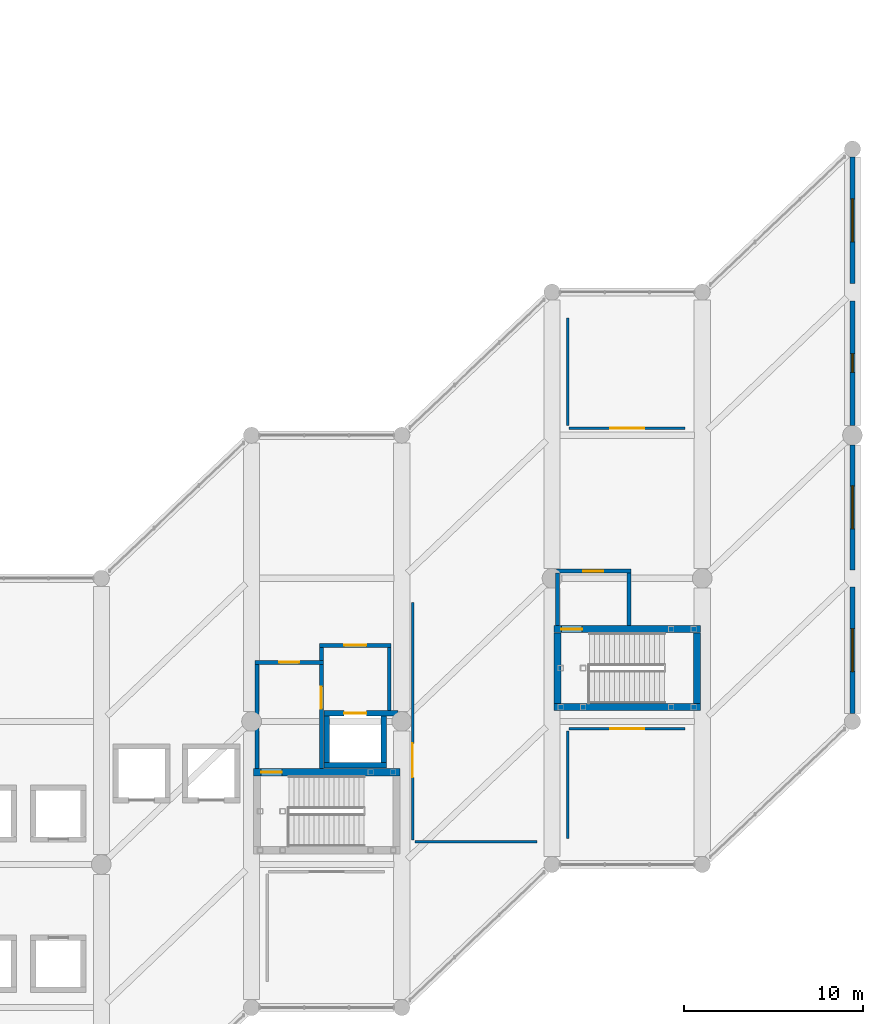
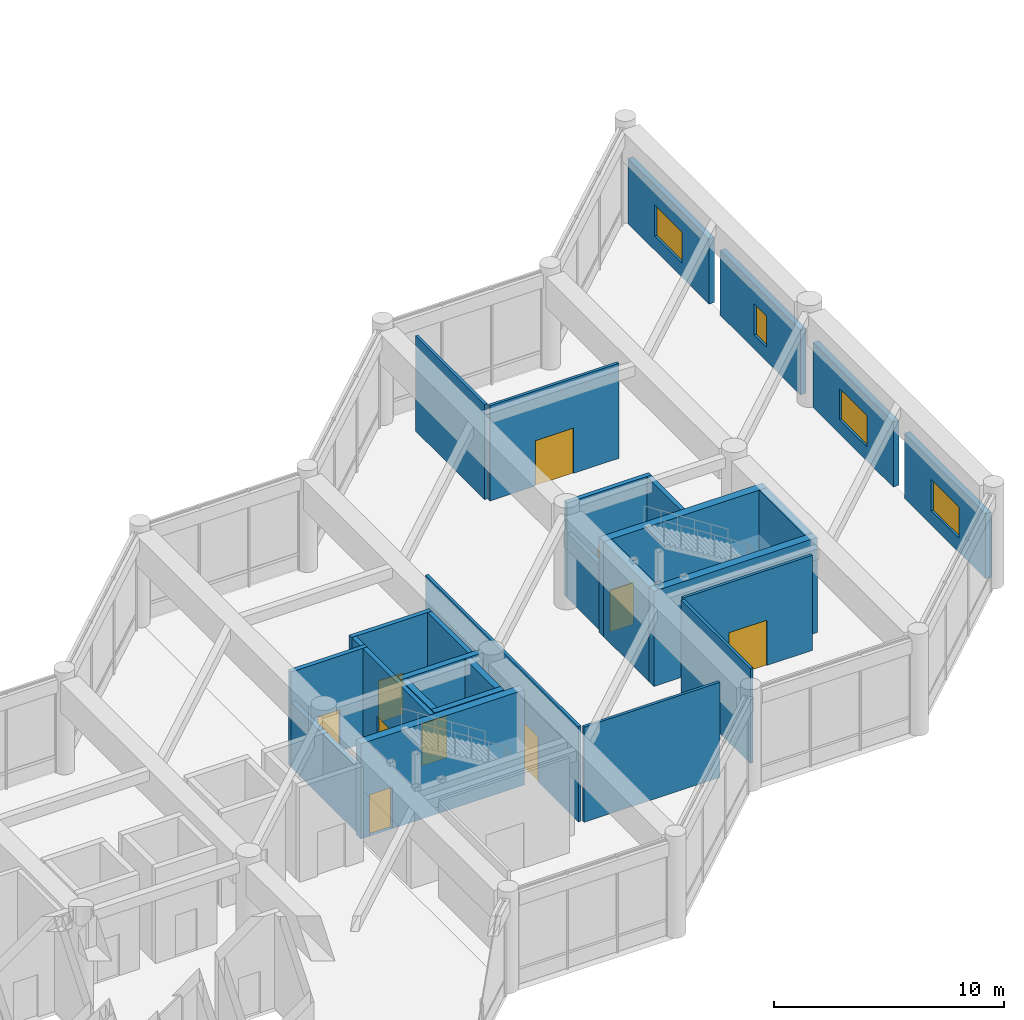
# One storey, part 64 of 79: 28 walls, 10 doors, 4 windows, 14 openings.
"""IFC4 building model written with IfcOpenShell, lengths in metres."""

from ifc_helpers import new_model, si_unit, direction, frame, frame_2d, origin, place, context, subcontext, project, spatial, rectangle, extrude, material, layer, layer_set, type_object, element, fill, save


model = new_model("IFC4")

# Units and contexts
model_context = context("Model", 3, precision=1e-05, world=origin(), true_north=direction((0.0, 1.0)))
body_context = subcontext(model_context, "Body", "Model", "MODEL_VIEW")
ifc_project = project(units=[si_unit("LENGTHUNIT", "METRE"), si_unit("AREAUNIT", "SQUARE_METRE"), si_unit("VOLUMEUNIT", "CUBIC_METRE"), si_unit("PLANEANGLEUNIT", "RADIAN"), si_unit("MASSUNIT", "GRAM", prefix="KILO")], contexts=[model_context])

# Site, building, storey
site_placement = place(None, origin())
site = spatial("IfcSite", under=ifc_project, at=site_placement, CompositionType="ELEMENT")
building_placement = place(site_placement, origin())
building = spatial("IfcBuilding", under=site, at=building_placement, Name="Naruveol Harbour Congress Hotel", CompositionType="ELEMENT")
storey_placement = place(building_placement, frame((0.0, 0.0, 6.0)))
storey = spatial("IfcBuildingStorey", under=building, at=storey_placement, Name="L01", CompositionType="ELEMENT", Elevation=6.0)

# Wall, opening, door
ifc_material_1 = material(Name="Acoustic Double Stud Gypsum", Category="gypsum")
ifc_layer_1 = layer(ifc_material_1, 0.139892578125)
ifc_layer_set_1 = layer_set([ifc_layer_1], Name="Acoustic Double Stud Gypsum")
wall_type_1 = type_object("IfcWallType", Name="ACOUSTIC MEETING PARTITION WALL 140", PredefinedType="PARTITIONING", material=ifc_layer_set_1)
wall_1_placement = place(storey_placement, frame((160.199951171875, 17.360107421875, 0.0), z_axis=(0.0, 0.0, 1.0), x_axis=(0.0, 1.0, 0.0)))
wall_1 = element("IfcWall", 1, at=wall_1_placement, inside=storey, type_object=wall_type_1, Name="Private Banquet Salon west entry wall PW-140", PredefinedType="PARTITIONING", context=body_context, shape_type="SweptSolid", body=[
    extrude(rectangle(XDim=13.27978515625, YDim=0.139892578125, at=frame_2d((6.639892578125, 0.0))), origin(), (0.0, 0.0, 1.0), 5.044921875),
])
opening_1_placement = place(wall_1_placement, frame((3.510009765625, 0.0, 0.0)))
opening_1 = element("IfcOpeningElement", 2, at=opening_1_placement, cuts=wall_1, Name="Opening ID-LG-55", PredefinedType="OPENING", context=body_context, shape_type="SweptSolid", body=[
    extrude(rectangle(XDim=1.89990234375, YDim=2.39990234375, at=frame_2d((0.949951171875, 1.199951171875))), frame((0.0, 0.079833984375, 0.0), z_axis=(0.0, -1.0, 0.0), x_axis=(1.0, 0.0, 0.0)), (0.0, 0.0, 1.0), 0.159912109375),
])
ifc_material_2 = material(Name="Timber & Steel Acoustic Leaf", Category="steel")
door_type_1 = type_object("IfcDoorType", Name="RESTAURANT AND LOUNGE GLAZED DOOR 1900X2400", OperationType="DOUBLE_DOOR_SINGLE_SWING", PredefinedType="DOOR", material=ifc_material_2)
door_1_placement = place(opening_1_placement, origin())
door_1 = element("IfcDoor", 3, at=door_1_placement, inside=storey, type_object=door_type_1, Name="Private Banquet Salon Entrance Door", OperationType="DOUBLE_DOOR_SINGLE_SWING", OverallHeight=2.39990234375, OverallWidth=1.89990234375, PredefinedType="DOOR", context=body_context, shape_type="SweptSolid", body=[
    extrude(rectangle(XDim=1.89990234375, YDim=2.39990234375, at=frame_2d((0.949951171875, 1.199951171875))), frame((0.0, 0.02490234375, 0.0), z_axis=(0.0, -1.0, 0.0), x_axis=(1.0, 0.0, 0.0)), (0.0, 0.0, 1.0), 0.050048828125),
])
fill(opening_1, door_1)

# Wall
wall_2_placement = place(storey_placement, frame((160.340087890625, 17.280029296875, 0.0), z_axis=(0.0, 0.0, 1.0), x_axis=(1.0, 0.0, 0.0)))
element("IfcWall", 4, at=wall_2_placement, inside=storey, type_object=wall_type_1, Name="Private Banquet Salon south partition PW-140", PredefinedType="PARTITIONING", context=body_context, shape_type="SweptSolid", body=[
    extrude(rectangle(XDim=6.809814453125, YDim=0.139892578125, at=frame_2d((3.40478515625, 0.0))), origin(), (0.0, 0.0, 1.0), 5.044921875),
])

# Wall, opening, door
wall_3_placement = place(storey_placement, frame((168.9599609375, 23.60009765625, 0.0), z_axis=(0.0, 0.0, 1.0), x_axis=(1.0, 0.0, 0.0)))
wall_3 = element("IfcWall", 5, at=wall_3_placement, inside=storey, type_object=wall_type_1, Name="Specialty Seafood Grill Restaurant north entry wall PW-140", PredefinedType="PARTITIONING", context=body_context, shape_type="SweptSolid", body=[
    extrude(rectangle(XDim=6.47998046875, YDim=0.139892578125, at=frame_2d((3.239990234375, 0.0))), origin(), (0.0, 0.0, 1.0), 5.044921875),
])
opening_2_placement = place(wall_3_placement, frame((2.2900390625, 0.0, 0.0)))
opening_2 = element("IfcOpeningElement", 6, at=opening_2_placement, cuts=wall_3, Name="Opening ID-LG-56", PredefinedType="OPENING", context=body_context, shape_type="SweptSolid", body=[
    extrude(rectangle(XDim=1.89990234375, YDim=2.39990234375, at=frame_2d((0.949951171875, 1.199951171875))), frame((0.0, 0.079833984375, 0.0), z_axis=(0.0, -1.0, 0.0), x_axis=(1.0, 0.0, 0.0)), (0.0, 0.0, 1.0), 0.159912109375),
])
door_2_placement = place(opening_2_placement, origin())
door_2 = element("IfcDoor", 7, at=door_2_placement, inside=storey, type_object=door_type_1, Name="Specialty Seafood Grill Restaurant Entrance Door", OperationType="DOUBLE_DOOR_SINGLE_SWING", OverallHeight=2.39990234375, OverallWidth=1.89990234375, PredefinedType="DOOR", context=body_context, shape_type="SweptSolid", body=[
    extrude(rectangle(XDim=1.89990234375, YDim=2.39990234375, at=frame_2d((0.949951171875, 1.199951171875))), frame((0.0, 0.02490234375, 0.0), z_axis=(0.0, -1.0, 0.0), x_axis=(1.0, 0.0, 0.0)), (0.0, 0.0, 1.0), 0.050048828125),
])
fill(opening_2, door_2)

# Wall
wall_4_placement = place(storey_placement, frame((168.8798828125, 17.449951171875, 0.0), z_axis=(0.0, 0.0, 1.0), x_axis=(0.0, 1.0, 0.0)))
element("IfcWall", 8, at=wall_4_placement, inside=storey, type_object=wall_type_1, Name="Specialty Seafood Grill Restaurant west partition PW-140", PredefinedType="PARTITIONING", context=body_context, shape_type="SweptSolid", body=[
    extrude(rectangle(XDim=6.010009765625, YDim=0.139892578125, at=frame_2d((3.0048828125, 0.0))), origin(), (0.0, 0.0, 1.0), 5.044921875),
])

# Wall, opening, door
wall_5_placement = place(storey_placement, frame((168.9599609375, 40.39990234375, 0.0), z_axis=(0.0, 0.0, 1.0), x_axis=(1.0, 0.0, 0.0)))
wall_5 = element("IfcWall", 9, at=wall_5_placement, inside=storey, type_object=wall_type_1, Name="Sommelier Wine Lounge south entry wall PW-140", PredefinedType="PARTITIONING", context=body_context, shape_type="SweptSolid", body=[
    extrude(rectangle(XDim=6.47998046875, YDim=0.139892578125, at=frame_2d((3.239990234375, 0.0))), origin(), (0.0, 0.0, 1.0), 5.044921875),
])
opening_3_placement = place(wall_5_placement, frame((2.2900390625, 0.0, 0.0)))
opening_3 = element("IfcOpeningElement", 10, at=opening_3_placement, cuts=wall_5, Name="Opening ID-LG-57", PredefinedType="OPENING", context=body_context, shape_type="SweptSolid", body=[
    extrude(rectangle(XDim=1.89990234375, YDim=2.39990234375, at=frame_2d((0.949951171875, 1.199951171875))), frame((0.0, 0.079833984375, 0.0), z_axis=(0.0, -1.0, 0.0), x_axis=(1.0, 0.0, 0.0)), (0.0, 0.0, 1.0), 0.159912109375),
])
door_3_placement = place(opening_3_placement, origin())
door_3 = element("IfcDoor", 11, at=door_3_placement, inside=storey, type_object=door_type_1, Name="Sommelier Wine Lounge Entrance Door", OperationType="DOUBLE_DOOR_SINGLE_SWING", OverallHeight=2.39990234375, OverallWidth=1.89990234375, PredefinedType="DOOR", context=body_context, shape_type="SweptSolid", body=[
    extrude(rectangle(XDim=1.89990234375, YDim=2.39990234375, at=frame_2d((0.949951171875, 1.199951171875))), frame((0.0, 0.02490234375, 0.0), z_axis=(0.0, -1.0, 0.0), x_axis=(1.0, 0.0, 0.0)), (0.0, 0.0, 1.0), 0.050048828125),
])
fill(opening_3, door_3)

# Wall
wall_6_placement = place(storey_placement, frame((168.8798828125, 40.5400390625, 0.0), z_axis=(0.0, 0.0, 1.0), x_axis=(0.0, 1.0, 0.0)))
element("IfcWall", 12, at=wall_6_placement, inside=storey, type_object=wall_type_1, Name="Sommelier Wine Lounge west partition PW-140", PredefinedType="PARTITIONING", context=body_context, shape_type="SweptSolid", body=[
    extrude(rectangle(XDim=6.010009765625, YDim=0.139892578125, at=frame_2d((3.0048828125, 0.0))), origin(), (0.0, 0.0, 1.0), 5.044921875),
])

# Wall, opening, window
ifc_material_3 = material(Name="Precast concrete C40/50", Category="concrete")
ifc_layer_2 = layer(ifc_material_3, 0.280029296875)
ifc_layer_set_2 = layer_set([ifc_layer_2], Name="Precast concrete C40/50")
wall_type_2 = type_object("IfcWallType", Name="ARCHITECTURAL PRECAST FACADE WALL 280", PredefinedType="SOLIDWALL", material=ifc_layer_set_2)
wall_7_placement = place(storey_placement, frame((184.800048828125, 55.550048828125, 0.0), z_axis=(0.0, 0.0, 1.0), x_axis=(0.0, -1.0, 0.0)))
wall_7 = element("IfcWall", 13, at=wall_7_placement, inside=storey, type_object=wall_type_2, Name="Hotel east gable wall L01 EW-280", PredefinedType="SOLIDWALL", context=body_context, shape_type="SweptSolid", body=[
    extrude(rectangle(XDim=7.070068359375, YDim=0.280029296875, at=frame_2d((3.53515625, 0.0))), origin(), (0.0, 0.0, 1.0), 3.449951171875),
])
opening_4_placement = place(wall_7_placement, frame((2.3349609375, 0.0, 0.75)))
opening_4 = element("IfcOpeningElement", 14, at=opening_4_placement, cuts=wall_7, Name="Opening W-07", PredefinedType="OPENING", context=body_context, shape_type="SweptSolid", body=[
    extrude(rectangle(XDim=2.39990234375, YDim=1.64990234375, at=frame_2d((1.199951171875, 0.824951171875))), frame((0.0, 0.14990234375, 0.0), z_axis=(0.0, -1.0, 0.0), x_axis=(1.0, 0.0, 0.0)), (0.0, 0.0, 1.0), 0.300048828125),
])
ifc_material_4 = material(Name="Low-E Triple Glazing in Thermal Aluminium", Category="aluminium")
window_type_1 = type_object("IfcWindowType", Name="CORNER SUITE WINDOW 2400X1650", PartitioningType="DOUBLE_PANEL_VERTICAL", PredefinedType="WINDOW", material=ifc_material_4)
window_1_placement = place(opening_4_placement, origin())
window_1 = element("IfcWindow", 15, at=window_1_placement, inside=storey, type_object=window_type_1, Name="Window W-07 #179", OverallHeight=1.64990234375, OverallWidth=2.39990234375, PartitioningType="DOUBLE_PANEL_VERTICAL", PredefinedType="WINDOW", context=body_context, shape_type="SweptSolid", body=[
    extrude(rectangle(XDim=2.39990234375, YDim=1.64990234375, at=frame_2d((1.199951171875, 0.824951171875))), frame((0.0, 0.030029296875, 0.0), z_axis=(0.0, -1.0, 0.0), x_axis=(1.0, 0.0, 0.0)), (0.0, 0.0, 1.0), 0.06005859375),
])
fill(opening_4, window_1)

wall_8_placement = place(storey_placement, frame((184.800048828125, 47.52001953125, 0.0), z_axis=(0.0, 0.0, 1.0), x_axis=(0.0, -1.0, 0.0)))
wall_8 = element("IfcWall", 16, at=wall_8_placement, inside=storey, type_object=wall_type_2, Name="Hotel east gable wall L01 EW-280", PredefinedType="SOLIDWALL", context=body_context, shape_type="SweptSolid", body=[
    extrude(rectangle(XDim=6.969970703125, YDim=0.280029296875, at=frame_2d((3.48486328125, 0.0))), origin(), (0.0, 0.0, 1.0), 3.449951171875),
])
opening_5_placement = place(wall_8_placement, frame((2.9599609375, 0.0, 0.75)))
opening_5 = element("IfcOpeningElement", 17, at=opening_5_placement, cuts=wall_8, Name="Opening W-26", PredefinedType="OPENING", context=body_context, shape_type="SweptSolid", body=[
    extrude(rectangle(XDim=1.050048828125, YDim=1.64990234375, at=frame_2d((0.52490234375, 0.824951171875))), frame((0.0, 0.14990234375, 0.0), z_axis=(0.0, -1.0, 0.0), x_axis=(1.0, 0.0, 0.0)), (0.0, 0.0, 1.0), 0.300048828125),
])
ifc_material_5 = material(Name="Low-E Triple Glazing in Thermal Aluminium", Category="aluminium")
window_type_2 = type_object("IfcWindowType", Name="CORRIDOR END VIEW WINDOW 1050X1650", PartitioningType="SINGLE_PANEL", PredefinedType="WINDOW", material=ifc_material_5)
window_2_placement = place(opening_5_placement, origin())
window_2 = element("IfcWindow", 18, at=window_2_placement, inside=storey, type_object=window_type_2, Name="Window W-26 #180", OverallHeight=1.64990234375, OverallWidth=1.050048828125, PartitioningType="SINGLE_PANEL", PredefinedType="WINDOW", context=body_context, shape_type="SweptSolid", body=[
    extrude(rectangle(XDim=1.050048828125, YDim=1.64990234375, at=frame_2d((0.52490234375, 0.824951171875))), frame((0.0, 0.030029296875, 0.0), z_axis=(0.0, -1.0, 0.0), x_axis=(1.0, 0.0, 0.0)), (0.0, 0.0, 1.0), 0.06005859375),
])
fill(opening_5, window_2)

wall_9_placement = place(storey_placement, frame((184.800048828125, 39.449951171875, 0.0), z_axis=(0.0, 0.0, 1.0), x_axis=(0.0, -1.0, 0.0)))
wall_9 = element("IfcWall", 19, at=wall_9_placement, inside=storey, type_object=wall_type_2, Name="Hotel east gable wall L01 EW-280", PredefinedType="SOLIDWALL", context=body_context, shape_type="SweptSolid", body=[
    extrude(rectangle(XDim=6.969970703125, YDim=0.280029296875, at=frame_2d((3.48486328125, 0.0))), origin(), (0.0, 0.0, 1.0), 3.449951171875),
])
opening_6_placement = place(wall_9_placement, frame((2.284912109375, 0.0, 0.75)))
opening_6 = element("IfcOpeningElement", 20, at=opening_6_placement, cuts=wall_9, Name="Opening W-07", PredefinedType="OPENING", context=body_context, shape_type="SweptSolid", body=[
    extrude(rectangle(XDim=2.39990234375, YDim=1.64990234375, at=frame_2d((1.199951171875, 0.824951171875))), frame((0.0, 0.14990234375, 0.0), z_axis=(0.0, -1.0, 0.0), x_axis=(1.0, 0.0, 0.0)), (0.0, 0.0, 1.0), 0.300048828125),
])
window_3_placement = place(opening_6_placement, origin())
window_3 = element("IfcWindow", 21, at=window_3_placement, inside=storey, type_object=window_type_1, Name="Window W-07 #181", OverallHeight=1.64990234375, OverallWidth=2.39990234375, PartitioningType="DOUBLE_PANEL_VERTICAL", PredefinedType="WINDOW", context=body_context, shape_type="SweptSolid", body=[
    extrude(rectangle(XDim=2.39990234375, YDim=1.64990234375, at=frame_2d((1.199951171875, 0.824951171875))), frame((0.0, 0.030029296875, 0.0), z_axis=(0.0, -1.0, 0.0), x_axis=(1.0, 0.0, 0.0)), (0.0, 0.0, 1.0), 0.06005859375),
])
fill(opening_6, window_3)

wall_10_placement = place(storey_placement, frame((184.800048828125, 31.52001953125, 0.0), z_axis=(0.0, 0.0, 1.0), x_axis=(0.0, -1.0, 0.0)))
wall_10 = element("IfcWall", 22, at=wall_10_placement, inside=storey, type_object=wall_type_2, Name="Hotel east gable wall L01 EW-280", PredefinedType="SOLIDWALL", context=body_context, shape_type="SweptSolid", body=[
    extrude(rectangle(XDim=7.070068359375, YDim=0.280029296875, at=frame_2d((3.53515625, 0.0))), origin(), (0.0, 0.0, 1.0), 3.449951171875),
])
opening_7_placement = place(wall_10_placement, frame((2.3349609375, 0.0, 0.75)))
opening_7 = element("IfcOpeningElement", 23, at=opening_7_placement, cuts=wall_10, Name="Opening W-07", PredefinedType="OPENING", context=body_context, shape_type="SweptSolid", body=[
    extrude(rectangle(XDim=2.39990234375, YDim=1.64990234375, at=frame_2d((1.199951171875, 0.824951171875))), frame((0.0, 0.14990234375, 0.0), z_axis=(0.0, -1.0, 0.0), x_axis=(1.0, 0.0, 0.0)), (0.0, 0.0, 1.0), 0.300048828125),
])
window_4_placement = place(opening_7_placement, origin())
window_4 = element("IfcWindow", 24, at=window_4_placement, inside=storey, type_object=window_type_1, Name="Window W-07 #182", OverallHeight=1.64990234375, OverallWidth=2.39990234375, PartitioningType="DOUBLE_PANEL_VERTICAL", PredefinedType="WINDOW", context=body_context, shape_type="SweptSolid", body=[
    extrude(rectangle(XDim=2.39990234375, YDim=1.64990234375, at=frame_2d((1.199951171875, 0.824951171875))), frame((0.0, 0.030029296875, 0.0), z_axis=(0.0, -1.0, 0.0), x_axis=(1.0, 0.0, 0.0)), (0.0, 0.0, 1.0), 0.06005859375),
])
fill(opening_7, window_4)

# Wall
ifc_material_6 = material(Name="Concrete C40/50", Category="concrete")
ifc_layer_3 = layer(ifc_material_6, 0.219970703125)
ifc_layer_set_3 = layer_set([ifc_layer_3], Name="Concrete C40/50")
wall_type_3 = type_object("IfcWallType", Name="FIRE COMPARTMENT AND LOBBY WALL 220 EI120", PredefinedType="PARTITIONING", material=ifc_layer_set_3)
wall_11_placement = place(storey_placement, frame((151.5, 21.364990234375, 0.0), z_axis=(0.0, 0.0, 1.0), x_axis=(0.0, 1.0, 0.0)))
element("IfcWall", 25, at=wall_11_placement, inside=storey, type_object=wall_type_3, Name="Smoke vestibule ST2 west wall FW-220", PredefinedType="PARTITIONING", context=body_context, shape_type="SweptSolid", body=[
    extrude(rectangle(XDim=5.820068359375, YDim=0.219970703125, at=frame_2d((2.91015625, 0.0))), origin(), (0.0, 0.0, 1.0), 3.449951171875),
])

# Wall, opening, door
wall_12_placement = place(storey_placement, frame((151.389892578125, 27.300048828125, 0.0), z_axis=(0.0, 0.0, 1.0), x_axis=(1.0, 0.0, 0.0)))
wall_12 = element("IfcWall", 26, at=wall_12_placement, inside=storey, type_object=wall_type_3, Name="Smoke vestibule ST2 north wall FW-220", PredefinedType="PARTITIONING", context=body_context, shape_type="SweptSolid", body=[
    extrude(rectangle(XDim=3.820068359375, YDim=0.219970703125, at=frame_2d((1.91015625, 0.0))), origin(), (0.0, 0.0, 1.0), 5.044921875),
])
opening_8_placement = place(wall_12_placement, frame((1.35009765625, 0.0, 0.0)))
opening_8 = element("IfcOpeningElement", 27, at=opening_8_placement, cuts=wall_12, Name="Opening FD-ST2-V-L01", PredefinedType="OPENING", context=body_context, shape_type="SweptSolid", body=[
    extrude(rectangle(XDim=1.1201171875, YDim=2.199951171875, at=frame_2d((0.56005859375, 1.10009765625))), frame((0.0, 0.119873046875, 0.0), z_axis=(0.0, -1.0, 0.0), x_axis=(1.0, 0.0, 0.0)), (0.0, 0.0, 1.0), 0.239990234375),
])
ifc_material_7 = material(Name="Timber & Steel Acoustic Leaf", Category="steel")
door_type_2 = type_object("IfcDoorType", Name="VESTIBULE SMOKE CONTROL FIRE DOOR 1120X2200", OperationType="NOTDEFINED", PredefinedType="DOOR", material=ifc_material_7)
door_4_placement = place(opening_8_placement, origin())
door_4 = element("IfcDoor", 28, at=door_4_placement, inside=storey, type_object=door_type_2, Name="Smoke Vestibule Entry Door ST2 L01", OperationType="SINGLE_SWING_LEFT", OverallHeight=2.199951171875, OverallWidth=1.1201171875, PredefinedType="DOOR", context=body_context, shape_type="SweptSolid", body=[
    extrude(rectangle(XDim=1.1201171875, YDim=2.199951171875, at=frame_2d((0.56005859375, 1.10009765625))), frame((0.0, 0.02490234375, 0.0), z_axis=(0.0, -1.0, 0.0), x_axis=(1.0, 0.0, 0.0)), (0.0, 0.0, 1.0), 0.050048828125),
])
fill(opening_8, door_4)

wall_13_placement = place(storey_placement, frame((155.10009765625, 21.364990234375, 0.0), z_axis=(0.0, 0.0, 1.0), x_axis=(0.0, 1.0, 0.0)))
wall_13 = element("IfcWall", 29, at=wall_13_placement, inside=storey, type_object=wall_type_3, Name="Smoke vestibule ST2 east wall FW-220", PredefinedType="PARTITIONING", context=body_context, shape_type="SweptSolid", body=[
    extrude(rectangle(XDim=5.820068359375, YDim=0.219970703125, at=frame_2d((2.91015625, 0.0))), origin(), (0.0, 0.0, 1.0), 5.044921875),
])
opening_9_placement = place(wall_13_placement, frame((3.3349609375, 0.0, 0.0)))
opening_9 = element("IfcOpeningElement", 30, at=opening_9_placement, cuts=wall_13, Name="Opening FD-FFL-ST2-L01", PredefinedType="OPENING", context=body_context, shape_type="SweptSolid", body=[
    extrude(rectangle(XDim=1.239990234375, YDim=2.199951171875, at=frame_2d((0.6201171875, 1.10009765625))), frame((0.0, 0.119873046875, 0.0), z_axis=(0.0, -1.0, 0.0), x_axis=(1.0, 0.0, 0.0)), (0.0, 0.0, 1.0), 0.239990234375),
])
ifc_material_8 = material(Name="Timber & Steel Acoustic Leaf", Category="steel")
door_type_3 = type_object("IfcDoorType", Name="FIREFIGHTING LOBBY FIRE DOOR 1240X2200", OperationType="NOTDEFINED", PredefinedType="DOOR", material=ifc_material_8)
door_5_placement = place(opening_9_placement, origin())
door_5 = element("IfcDoor", 31, at=door_5_placement, inside=storey, type_object=door_type_3, Name="Firefighting Lobby Vestibule Door ST2 L01", OperationType="SINGLE_SWING_RIGHT", OverallHeight=2.199951171875, OverallWidth=1.239990234375, PredefinedType="DOOR", context=body_context, shape_type="SweptSolid", body=[
    extrude(rectangle(XDim=1.239990234375, YDim=2.199951171875, at=frame_2d((0.6201171875, 1.10009765625))), frame((0.0, 0.02490234375, 0.0), z_axis=(0.0, -1.0, 0.0), x_axis=(1.0, 0.0, 0.0)), (0.0, 0.0, 1.0), 0.050048828125),
])
fill(opening_9, door_5)

# Walls
wall_14_placement = place(storey_placement, frame((155.10009765625, 27.4150390625, 0.0), z_axis=(0.0, 0.0, 1.0), x_axis=(0.0, 1.0, 0.0)))
element("IfcWall", 32, at=wall_14_placement, inside=storey, type_object=wall_type_3, Name="Firefighting lift lobby ST2 upper west wall FW-220", PredefinedType="PARTITIONING", context=body_context, shape_type="SweptSolid", body=[
    extrude(rectangle(XDim=0.719970703125, YDim=0.219970703125, at=frame_2d((0.35986328125, 0.0))), origin(), (0.0, 0.0, 1.0), 5.044921875),
])
wall_15_placement = place(storey_placement, frame((158.89990234375, 24.60498046875, 0.0), z_axis=(0.0, 0.0, 1.0), x_axis=(0.0, 1.0, 0.0)))
element("IfcWall", 33, at=wall_15_placement, inside=storey, type_object=wall_type_3, Name="Firefighting lift lobby ST2 east wall FW-220", PredefinedType="PARTITIONING", context=body_context, shape_type="SweptSolid", body=[
    extrude(rectangle(XDim=3.530029296875, YDim=0.219970703125, at=frame_2d((1.76513671875, 0.0))), origin(), (0.0, 0.0, 1.0), 5.044921875),
])

# Wall, opening, door
wall_16_placement = place(storey_placement, frame((154.989990234375, 28.25, 0.0), z_axis=(0.0, 0.0, 1.0), x_axis=(1.0, 0.0, 0.0)))
wall_16 = element("IfcWall", 34, at=wall_16_placement, inside=storey, type_object=wall_type_3, Name="Firefighting lift lobby ST2 north wall FW-220", PredefinedType="PARTITIONING", context=body_context, shape_type="SweptSolid", body=[
    extrude(rectangle(XDim=4.02001953125, YDim=0.219970703125, at=frame_2d((2.010009765625, 0.0))), origin(), (0.0, 0.0, 1.0), 5.044921875),
])
opening_10_placement = place(wall_16_placement, frame((1.389892578125, 0.0, 0.0)))
opening_10 = element("IfcOpeningElement", 35, at=opening_10_placement, cuts=wall_16, Name="Opening FD-FFC-ST2-L01", PredefinedType="OPENING", context=body_context, shape_type="SweptSolid", body=[
    extrude(rectangle(XDim=1.239990234375, YDim=2.199951171875, at=frame_2d((0.6201171875, 1.10009765625))), frame((0.0, 0.119873046875, 0.0), z_axis=(0.0, -1.0, 0.0), x_axis=(1.0, 0.0, 0.0)), (0.0, 0.0, 1.0), 0.239990234375),
])
door_6_placement = place(opening_10_placement, origin())
door_6 = element("IfcDoor", 36, at=door_6_placement, inside=storey, type_object=door_type_3, Name="Firefighting Lobby Corridor Door ST2 L01", OperationType="SINGLE_SWING_LEFT", OverallHeight=2.199951171875, OverallWidth=1.239990234375, PredefinedType="DOOR", context=body_context, shape_type="SweptSolid", body=[
    extrude(rectangle(XDim=1.239990234375, YDim=2.199951171875, at=frame_2d((0.6201171875, 1.10009765625))), frame((0.0, 0.02490234375, 0.0), z_axis=(0.0, -1.0, 0.0), x_axis=(1.0, 0.0, 0.0)), (0.0, 0.0, 1.0), 0.050048828125),
])
fill(opening_10, door_6)

# Wall
wall_17_placement = place(storey_placement, frame((168.300048828125, 29.364990234375, 0.0), z_axis=(0.0, 0.0, 1.0), x_axis=(0.0, 1.0, 0.0)))
element("IfcWall", 37, at=wall_17_placement, inside=storey, type_object=wall_type_3, Name="Smoke vestibule ST4 west wall FW-220", PredefinedType="PARTITIONING", context=body_context, shape_type="SweptSolid", body=[
    extrude(rectangle(XDim=2.919921875, YDim=0.219970703125, at=frame_2d((1.4599609375, 0.0))), origin(), (0.0, 0.0, 1.0), 3.449951171875),
])

# Wall, opening, door
wall_18_placement = place(storey_placement, frame((168.18994140625, 32.39990234375, 0.0), z_axis=(0.0, 0.0, 1.0), x_axis=(1.0, 0.0, 0.0)))
wall_18 = element("IfcWall", 38, at=wall_18_placement, inside=storey, type_object=wall_type_3, Name="Smoke vestibule ST4 north wall FW-220", PredefinedType="PARTITIONING", context=body_context, shape_type="SweptSolid", body=[
    extrude(rectangle(XDim=4.219970703125, YDim=0.219970703125, at=frame_2d((2.10986328125, 0.0))), origin(), (0.0, 0.0, 1.0), 5.044921875),
])
opening_11_placement = place(wall_18_placement, frame((1.550048828125, 0.0, 0.0)))
opening_11 = element("IfcOpeningElement", 39, at=opening_11_placement, cuts=wall_18, Name="Opening FD-ST4-V-L01", PredefinedType="OPENING", context=body_context, shape_type="SweptSolid", body=[
    extrude(rectangle(XDim=1.1201171875, YDim=2.199951171875, at=frame_2d((0.56005859375, 1.10009765625))), frame((0.0, 0.119873046875, 0.0), z_axis=(0.0, -1.0, 0.0), x_axis=(1.0, 0.0, 0.0)), (0.0, 0.0, 1.0), 0.239990234375),
])
door_7_placement = place(opening_11_placement, origin())
door_7 = element("IfcDoor", 40, at=door_7_placement, inside=storey, type_object=door_type_2, Name="Smoke Vestibule Entry Door ST4 L01", OperationType="SINGLE_SWING_LEFT", OverallHeight=2.199951171875, OverallWidth=1.1201171875, PredefinedType="DOOR", context=body_context, shape_type="SweptSolid", body=[
    extrude(rectangle(XDim=1.1201171875, YDim=2.199951171875, at=frame_2d((0.56005859375, 1.10009765625))), frame((0.0, 0.02490234375, 0.0), z_axis=(0.0, -1.0, 0.0), x_axis=(1.0, 0.0, 0.0)), (0.0, 0.0, 1.0), 0.050048828125),
])
fill(opening_11, door_7)

# Wall
wall_19_placement = place(storey_placement, frame((172.300048828125, 29.364990234375, 0.0), z_axis=(0.0, 0.0, 1.0), x_axis=(0.0, 1.0, 0.0)))
element("IfcWall", 41, at=wall_19_placement, inside=storey, type_object=wall_type_3, Name="Smoke vestibule ST4 east wall FW-220", PredefinedType="PARTITIONING", context=body_context, shape_type="SweptSolid", body=[
    extrude(rectangle(XDim=2.919921875, YDim=0.219970703125, at=frame_2d((1.4599609375, 0.0))), origin(), (0.0, 0.0, 1.0), 5.044921875),
])

# Wall, opening, door
ifc_material_9 = material(Name="Concrete C50/60", Category="concrete")
ifc_layer_4 = layer(ifc_material_9, 0.39990234375)
ifc_layer_set_4 = layer_set([ifc_layer_4], Name="Concrete C50/60")
wall_type_4 = type_object("IfcWallType", Name="RC CORE SHEAR WALL 400 EI120", PredefinedType="SHEAR", material=ifc_layer_set_4)
wall_20_placement = place(storey_placement, frame((151.300048828125, 21.159912109375, 0.0), z_axis=(0.0, 0.0, 1.0), x_axis=(1.0, 0.0, 0.0)))
wall_20 = element("IfcWall", 42, at=wall_20_placement, inside=storey, type_object=wall_type_4, Name="Stair ST2 north core wall CW-400", PredefinedType="SHEAR", context=body_context, shape_type="SweptSolid", body=[
    extrude(rectangle(XDim=8.199951171875, YDim=0.39990234375, at=frame_2d((4.10009765625, 0.0))), origin(), (0.0, 0.0, 1.0), 5.044921875),
])
opening_12_placement = place(wall_20_placement, frame((0.429931640625, 0.0, 0.0)))
opening_12 = element("IfcOpeningElement", 43, at=opening_12_placement, cuts=wall_20, Name="Opening FD-ST2-S-L01", PredefinedType="OPENING", context=body_context, shape_type="SweptSolid", body=[
    extrude(rectangle(XDim=1.159912109375, YDim=2.199951171875, at=frame_2d((0.580078125, 1.10009765625))), frame((0.0, 0.2099609375, 0.0), z_axis=(0.0, -1.0, 0.0), x_axis=(1.0, 0.0, 0.0)), (0.0, 0.0, 1.0), 0.419921875),
])
ifc_material_10 = material(Name="Timber & Steel Acoustic Leaf", Category="steel")
door_type_4 = type_object("IfcDoorType", Name="SPECIAL ESCAPE STAIR FIRE DOOR 1160X2200", OperationType="NOTDEFINED", PredefinedType="DOOR", material=ifc_material_10)
door_8_placement = place(opening_12_placement, origin())
door_8 = element("IfcDoor", 44, at=door_8_placement, inside=storey, type_object=door_type_4, Name="Special Escape Stair Door ST2 L01", OperationType="SINGLE_SWING_RIGHT", OverallHeight=2.199951171875, OverallWidth=1.159912109375, PredefinedType="DOOR", context=body_context, shape_type="SweptSolid", body=[
    extrude(rectangle(XDim=1.159912109375, YDim=2.199951171875, at=frame_2d((0.580078125, 1.10009765625))), frame((0.0, 0.02490234375, 0.0), z_axis=(0.0, -1.0, 0.0), x_axis=(1.0, 0.0, 0.0)), (0.0, 0.0, 1.0), 0.050048828125),
])
fill(opening_12, door_8)

# Walls
wall_21_placement = place(storey_placement, frame((168.10009765625, 24.800048828125, 0.0), z_axis=(0.0, 0.0, 1.0), x_axis=(1.0, 0.0, 0.0)))
element("IfcWall", 45, at=wall_21_placement, inside=storey, type_object=wall_type_4, Name="Stair ST4 south core wall CW-400", PredefinedType="SHEAR", context=body_context, shape_type="SweptSolid", body=[
    extrude(rectangle(XDim=8.199951171875, YDim=0.39990234375, at=frame_2d((4.10009765625, 0.0))), origin(), (0.0, 0.0, 1.0), 5.044921875),
])
wall_22_placement = place(storey_placement, frame((176.10009765625, 25.0048828125, 0.0), z_axis=(0.0, 0.0, 1.0), x_axis=(0.0, 1.0, 0.0)))
element("IfcWall", 46, at=wall_22_placement, inside=storey, type_object=wall_type_4, Name="Stair ST4 east core wall CW-400", PredefinedType="SHEAR", context=body_context, shape_type="SweptSolid", body=[
    extrude(rectangle(XDim=3.9501953125, YDim=0.39990234375, at=frame_2d((1.97509765625, 0.0))), origin(), (0.0, 0.0, 1.0), 5.044921875),
])

# Wall, opening, door
wall_23_placement = place(storey_placement, frame((168.10009765625, 29.159912109375, 0.0), z_axis=(0.0, 0.0, 1.0), x_axis=(1.0, 0.0, 0.0)))
wall_23 = element("IfcWall", 47, at=wall_23_placement, inside=storey, type_object=wall_type_4, Name="Stair ST4 north core wall CW-400", PredefinedType="SHEAR", context=body_context, shape_type="SweptSolid", body=[
    extrude(rectangle(XDim=8.199951171875, YDim=0.39990234375, at=frame_2d((4.10009765625, 0.0))), origin(), (0.0, 0.0, 1.0), 5.044921875),
])
opening_13_placement = place(wall_23_placement, frame((0.429931640625, 0.0, 0.0)))
opening_13 = element("IfcOpeningElement", 48, at=opening_13_placement, cuts=wall_23, Name="Opening FD-ST4-S-L01", PredefinedType="OPENING", context=body_context, shape_type="SweptSolid", body=[
    extrude(rectangle(XDim=1.159912109375, YDim=2.199951171875, at=frame_2d((0.580078125, 1.10009765625))), frame((0.0, 0.2099609375, 0.0), z_axis=(0.0, -1.0, 0.0), x_axis=(1.0, 0.0, 0.0)), (0.0, 0.0, 1.0), 0.419921875),
])
door_9_placement = place(opening_13_placement, origin())
door_9 = element("IfcDoor", 49, at=door_9_placement, inside=storey, type_object=door_type_4, Name="Special Escape Stair Door ST4 L01", OperationType="SINGLE_SWING_RIGHT", OverallHeight=2.199951171875, OverallWidth=1.159912109375, PredefinedType="DOOR", context=body_context, shape_type="SweptSolid", body=[
    extrude(rectangle(XDim=1.159912109375, YDim=2.199951171875, at=frame_2d((0.580078125, 1.10009765625))), frame((0.0, 0.02490234375, 0.0), z_axis=(0.0, -1.0, 0.0), x_axis=(1.0, 0.0, 0.0)), (0.0, 0.0, 1.0), 0.050048828125),
])
fill(opening_13, door_9)

# Walls
wall_24_placement = place(storey_placement, frame((168.300048828125, 25.0048828125, 0.0), z_axis=(0.0, 0.0, 1.0), x_axis=(0.0, 1.0, 0.0)))
element("IfcWall", 50, at=wall_24_placement, inside=storey, type_object=wall_type_4, Name="Stair ST4 west core wall CW-400", PredefinedType="SHEAR", context=body_context, shape_type="SweptSolid", body=[
    extrude(rectangle(XDim=3.9501953125, YDim=0.39990234375, at=frame_2d((1.97509765625, 0.0))), origin(), (0.0, 0.0, 1.0), 5.044921875),
])
ifc_material_11 = material(Name="Concrete C50/60", Category="concrete")
ifc_layer_5 = layer(ifc_material_11, 0.300048828125)
ifc_layer_set_5 = layer_set([ifc_layer_5], Name="Concrete C50/60")
wall_type_5 = type_object("IfcWallType", Name="RC STAIR AND HOISTWAY SHEAR WALL 300 EI120", PredefinedType="SHEAR", material=ifc_layer_set_5)
wall_25_placement = place(storey_placement, frame((155.25, 21.550048828125, 0.0), z_axis=(0.0, 0.0, 1.0), x_axis=(1.0, 0.0, 0.0)))
element("IfcWall", 51, at=wall_25_placement, inside=storey, type_object=wall_type_5, Name="Hoistway south shear wall FL2 SW-300", PredefinedType="SHEAR", context=body_context, shape_type="SweptSolid", body=[
    extrude(rectangle(XDim=3.5, YDim=0.300048828125, at=frame_2d((1.75, 0.0))), origin(), (0.0, 0.0, 1.0), 5.044921875),
])
wall_26_placement = place(storey_placement, frame((158.60009765625, 21.705078125, 0.0), z_axis=(0.0, 0.0, 1.0), x_axis=(0.0, 1.0, 0.0)))
element("IfcWall", 52, at=wall_26_placement, inside=storey, type_object=wall_type_5, Name="Hoistway east shear wall FL2 SW-300", PredefinedType="SHEAR", context=body_context, shape_type="SweptSolid", body=[
    extrude(rectangle(XDim=2.58984375, YDim=0.300048828125, at=frame_2d((1.294921875, 0.0))), origin(), (0.0, 0.0, 1.0), 5.044921875),
])

# Wall, opening, door
wall_27_placement = place(storey_placement, frame((159.3798828125, 24.449951171875, 0.0), z_axis=(0.0, 0.0, 1.0), x_axis=(-1.0, 0.0, 0.0)))
wall_27 = element("IfcWall", 53, at=wall_27_placement, inside=storey, type_object=wall_type_5, Name="Hoistway north shear wall FL2 SW-300", PredefinedType="SHEAR", context=body_context, shape_type="SweptSolid", body=[
    extrude(rectangle(XDim=4.1298828125, YDim=0.300048828125, at=frame_2d((2.06494140625, 0.0))), origin(), (0.0, 0.0, 1.0), 5.044921875),
])
opening_14_placement = place(wall_27_placement, frame((1.7548828125, 0.0, 0.0)))
opening_14 = element("IfcOpeningElement", 54, at=opening_14_placement, cuts=wall_27, Name="Opening LD-FL2-L01", PredefinedType="OPENING", context=body_context, shape_type="SweptSolid", body=[
    extrude(rectangle(XDim=1.25, YDim=2.25, at=frame_2d((0.625, 1.125))), frame((0.0, 0.159912109375, 0.0), z_axis=(0.0, -1.0, 0.0), x_axis=(1.0, 0.0, 0.0)), (0.0, 0.0, 1.0), 0.320068359375),
])
ifc_material_12 = material(Name="Stainless Steel Lift Door", Category="steel")
door_type_5 = type_object("IfcDoorType", Name="FIREFIGHTING LIFT LANDING DOOR 1250X2250", OperationType="DOUBLE_DOOR_SLIDING", PredefinedType="DOOR", material=ifc_material_12)
door_10_placement = place(opening_14_placement, origin())
door_10 = element("IfcDoor", 55, at=door_10_placement, inside=storey, type_object=door_type_5, Name="Elevator Landing Door FL2 L01", OperationType="DOUBLE_DOOR_SLIDING", OverallHeight=2.25, OverallWidth=1.25, PredefinedType="DOOR", context=body_context, shape_type="SweptSolid", body=[
    extrude(rectangle(XDim=1.25, YDim=2.25, at=frame_2d((0.625, 1.125))), frame((0.0, 0.02490234375, 0.0), z_axis=(0.0, -1.0, 0.0), x_axis=(1.0, 0.0, 0.0)), (0.0, 0.0, 1.0), 0.050048828125),
])
fill(opening_14, door_10)

# Wall
wall_28_placement = place(storey_placement, frame((155.39990234375, 24.294921875, 0.0), z_axis=(0.0, 0.0, 1.0), x_axis=(0.0, -1.0, 0.0)))
element("IfcWall", 56, at=wall_28_placement, inside=storey, type_object=wall_type_5, Name="Hoistway west shear wall FL2 SW-300", PredefinedType="SHEAR", context=body_context, shape_type="SweptSolid", body=[
    extrude(rectangle(XDim=2.58984375, YDim=0.300048828125, at=frame_2d((1.294921875, 0.0))), origin(), (0.0, 0.0, 1.0), 5.044921875),
])

save(model, "model.ifc")
